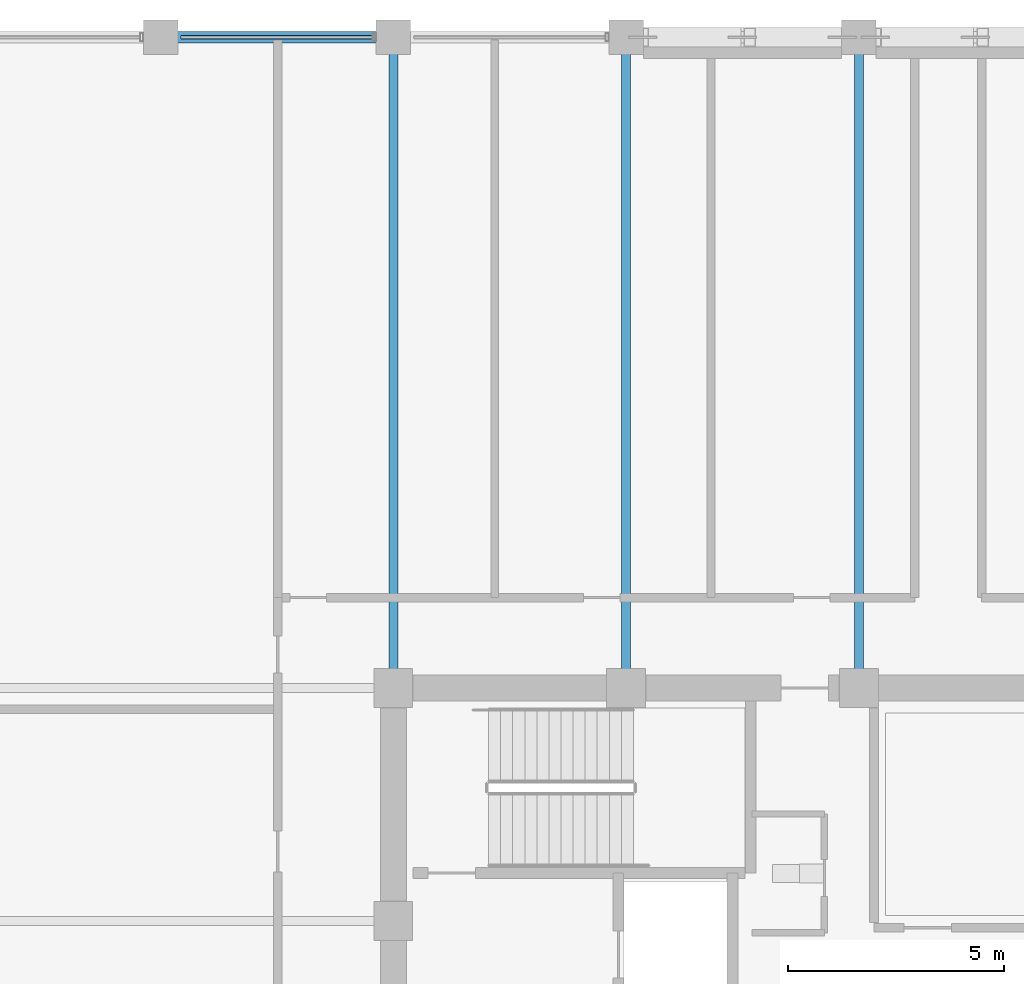
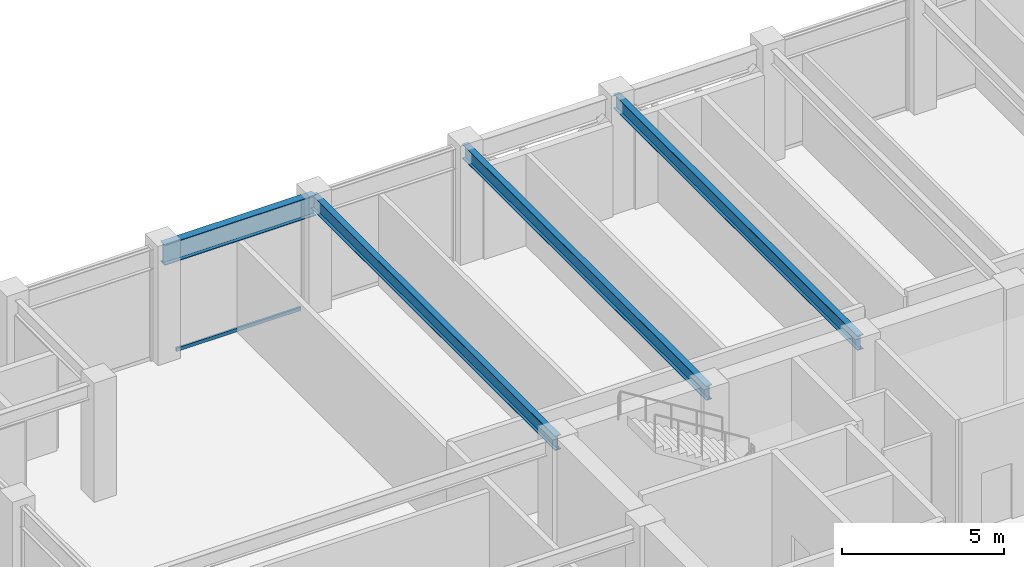
# One storey, part 17 of 28: 4 beams, 1 member, 1 element without a shape of its own.
"""IFC4 building model written with IfcOpenShell, lengths in metres."""

import ifcopenshell
import ifcopenshell.guid

model = None  # the IFC model being written
_history = None  # IfcOwnerHistory: only IFC2X3 demands one
_inside = {}  # id of a spatial element -> (the spatial element, [elements in it])
_under = {}  # id of a project, library or spatial element -> (it, [spatial elements below it])
_declared = {}  # id of a project -> (the project, [libraries it declares])
_typed = {}  # id of a type object -> (the type object, [elements of that type])
_made_of = {}  # id of a material, layer set ... -> (it, [elements and type objects made of it])


def new_model(schema):
    """Start an empty IFC model of exactly this schema.

    Asked for "IFC4X3", IfcOpenShell would pick the latest addendum, in which some entities
    have other attributes; the version numbers below select the first issue.
    IFC2X3 requires an IfcOwnerHistory on every rooted entity: one is made here for all.
    """
    global model, _history
    if schema == "IFC4X3":
        model = ifcopenshell.file(schema_version=(4, 3, 0, 0))
    else:
        model = ifcopenshell.file(schema=schema)
    _inside.clear()
    _under.clear()
    _declared.clear()
    _typed.clear()
    _made_of.clear()
    _history = None
    if model.schema == "IFC2X3":
        org = make("IfcOrganization", Name="unknown")
        user = make(
            "IfcPersonAndOrganization",
            ThePerson=make("IfcPerson", FamilyName="unknown"),
            TheOrganization=org,
        )
        app = make(
            "IfcApplication",
            ApplicationDeveloper=org,
            Version="unknown",
            ApplicationFullName="unknown",
            ApplicationIdentifier="unknown",
        )
        _history = make(
            "IfcOwnerHistory",
            OwningUser=user,
            OwningApplication=app,
            ChangeAction="ADDED",
            CreationDate=0,
        )
    return model


def make(cls, **values):
    """One entity of the class cls with the attributes given. An attribute that is None is left unset."""
    return model.create_entity(
        cls, **{name: value for name, value in values.items() if value is not None}
    )


def rooted(cls, **values):
    """An entity with a GlobalId (a new one), such as an element, a storey or a relation."""
    return make(cls, GlobalId=ifcopenshell.guid.new(), OwnerHistory=_history, **values)


def si_unit(unit_type, name, prefix=None):
    """IfcSIUnit, for example si_unit("LENGTHUNIT", "METRE", prefix="MILLI")."""
    return make("IfcSIUnit", UnitType=unit_type, Prefix=prefix, Name=name)


def assignment(units):
    """IfcUnitAssignment: the units of a project."""
    return None if units is None else make("IfcUnitAssignment", Units=units)


def point(xyz):
    """IfcCartesianPoint."""
    return None if xyz is None else make("IfcCartesianPoint", Coordinates=xyz)


def direction(xyz):
    """IfcDirection."""
    return None if xyz is None else make("IfcDirection", DirectionRatios=xyz)


def frame(location, z_axis=None, x_axis=None):
    """IfcAxis2Placement3D, a coordinate frame: its origin and axes. An axis left out is left unset."""
    return make(
        "IfcAxis2Placement3D",
        Location=point(location),
        Axis=direction(z_axis),
        RefDirection=direction(x_axis),
    )


def frame_2d(location, x_axis=None):
    """IfcAxis2Placement2D, a coordinate frame in the plane: its origin and x axis."""
    return make(
        "IfcAxis2Placement2D", Location=point(location), RefDirection=direction(x_axis)
    )


def origin():
    """The frame at (0, 0, 0) with its axes left unset."""
    return frame((0.0, 0.0, 0.0))


def origin_2d():
    """The frame at (0, 0) in the plane with its x axis left unset."""
    return frame_2d((0.0, 0.0))


def place(relative_to, where):
    """IfcLocalPlacement: puts the frame where relative to a parent placement (None: the world)."""
    return make(
        "IfcLocalPlacement", PlacementRelTo=relative_to, RelativePlacement=where
    )


def context(
    kind, dimensions, precision=None, world=None, true_north=None, identifier=None
):
    """IfcGeometricRepresentationContext, for example the 3D "Model" context."""
    return make(
        "IfcGeometricRepresentationContext",
        ContextIdentifier=identifier,
        ContextType=kind,
        CoordinateSpaceDimension=dimensions,
        Precision=precision,
        WorldCoordinateSystem=world,
        TrueNorth=true_north,
    )


def subcontext(parent, identifier, kind, view, scale=None):
    """IfcGeometricRepresentationSubContext, for example "Body" below "Model"."""
    return make(
        "IfcGeometricRepresentationSubContext",
        ContextIdentifier=identifier,
        ContextType=kind,
        ParentContext=parent,
        TargetScale=scale,
        TargetView=view,
    )


def project(units=None, contexts=None):
    """IfcProject with its units and contexts."""
    return rooted(
        "IfcProject",
        Name="project",
        RepresentationContexts=contexts,
        UnitsInContext=assignment(units),
    )


def spatial(cls, under=None, at=None, **own):
    """A site, building, storey or space (cls), placed at a placement, below another one or the project."""
    s = rooted(cls, ObjectPlacement=at, **own)
    if under is not None:
        _under.setdefault(under.id(), (under, []))[1].append(s)
    return s


def profile(cls, at=None, kind="AREA", **sizes):
    """A parametric profile (cls). Its sizes go by their IFC names, for example OverallWidth=200.0."""
    return make(cls, ProfileType=kind, Position=at, **sizes)


def hollow_rectangle(**sizes):
    """IfcRectangleHollowProfileDef."""
    return profile("IfcRectangleHollowProfileDef", **sizes)


def i_section(**sizes):
    """IfcIShapeProfileDef."""
    return profile("IfcIShapeProfileDef", **sizes)


def extrude(swept, where, along, depth):
    """IfcExtrudedAreaSolid: the profile swept, set in the frame where, extruded along a direction by depth."""
    return make(
        "IfcExtrudedAreaSolid",
        SweptArea=swept,
        Position=where,
        ExtrudedDirection=direction(along),
        Depth=depth,
    )


def shape(context_of_items, identifier, shape_type, items):
    """IfcShapeRepresentation: the items that make up one representation, for example the "Body"."""
    return make(
        "IfcShapeRepresentation",
        ContextOfItems=context_of_items,
        RepresentationIdentifier=identifier,
        RepresentationType=shape_type,
        Items=items,
    )


def material(Name=None, Category=None):
    """IfcMaterial."""
    return make("IfcMaterial", Name=Name, Category=Category)


def layer(
    of_material, thickness, ventilated=None, Name=None, Category=None, Priority=None
):
    """IfcMaterialLayer: one layer of a wall or slab, of a material (None: an air gap)."""
    return make(
        "IfcMaterialLayer",
        Material=of_material,
        LayerThickness=thickness,
        IsVentilated=ventilated,
        Name=Name,
        Category=Category,
        Priority=Priority,
    )


def layer_set(layers, Name=None):
    """IfcMaterialLayerSet."""
    return make("IfcMaterialLayerSet", MaterialLayers=layers, LayerSetName=Name)


def material_profile(
    of_material, cross_section, Name=None, Category=None, Priority=None
):
    """IfcMaterialProfile: a cross section and its material."""
    return make(
        "IfcMaterialProfile",
        Name=Name,
        Material=of_material,
        Profile=cross_section,
        Priority=Priority,
        Category=Category,
    )


def profile_set(profiles, Name=None, composite=None):
    """IfcMaterialProfileSet."""
    return make(
        "IfcMaterialProfileSet",
        Name=Name,
        MaterialProfiles=profiles,
        CompositeProfile=composite,
    )


def made_of(thing, what):
    """Note that an element or type object is made of a material, layer set ...; save() writes the relation."""
    if what is not None:
        _made_of.setdefault(what.id(), (what, []))[1].append(thing)
    return thing


def type_object(cls, material=None, **own):
    """A type object (cls), such as IfcWallType, which elements share."""
    return made_of(rooted(cls, **own), material)


def element(
    cls,
    number,
    at=None,
    inside=None,
    cuts=None,
    type_object=None,
    material=None,
    context=None,
    identifier="Body",
    shape_type=None,
    held_by="IfcProductDefinitionShape",
    body=None,
    shapes=None,
    **own,
):
    """One element of the class cls, such as IfcWall. Its Tag is "e" and its number.

    at: its placement. inside: the storey or other place that contains it. cuts: it is an
    opening in that element (IfcRelVoidsElement). A single representation is given by context,
    identifier, shape_type and body (its items); several are given by shapes. held_by: the class
    of the entity that holds the representations. save() writes the other relations.
    """
    e = rooted(cls, Tag="e%d" % number, ObjectPlacement=at, **own)
    if body is not None:
        shapes = [shape(context, identifier, shape_type, body)]
    if shapes is not None:
        e.Representation = make(held_by, Representations=shapes)
    if inside is not None:
        _inside.setdefault(inside.id(), (inside, []))[1].append(e)
    if cuts is not None:
        rooted(
            "IfcRelVoidsElement", RelatingBuildingElement=cuts, RelatedOpeningElement=e
        )
    if type_object is not None:
        _typed.setdefault(type_object.id(), (type_object, []))[1].append(e)
    return made_of(e, material)


def aggregate(whole, parts):
    """IfcRelAggregates: a whole, such as a stair, and the parts it consists of."""
    return rooted("IfcRelAggregates", RelatingObject=whole, RelatedObjects=parts)


def save(model, path):
    """Write the relations noted so far, then the file.

    IfcRelAggregates (storeys below a building ...), IfcRelContainedInSpatialStructure (elements
    in a storey), IfcRelDefinesByType, IfcRelAssociatesMaterial and IfcRelDeclares: one each for
    every whole, place, type object, material and project.
    """
    for whole, parts in _under.values():
        aggregate(whole, parts)
    for where, things in _inside.values():
        rooted(
            "IfcRelContainedInSpatialStructure",
            RelatedElements=things,
            RelatingStructure=where,
        )
    for kind, things in _typed.values():
        rooted("IfcRelDefinesByType", RelatedObjects=things, RelatingType=kind)
    for what, things in _made_of.values():
        rooted("IfcRelAssociatesMaterial", RelatedObjects=things, RelatingMaterial=what)
    for by, libraries in _declared.values():
        rooted("IfcRelDeclares", RelatingContext=by, RelatedDefinitions=libraries)
    model.write(path)


model = new_model("IFC4")

# Units and contexts
model_context = context("Model", 3, precision=1e-05, world=origin(), true_north=direction((0.0, 1.0)))
body_context = subcontext(model_context, "Body", "Model", "MODEL_VIEW")
ifc_project = project(units=[si_unit("LENGTHUNIT", "METRE"), si_unit("AREAUNIT", "SQUARE_METRE"), si_unit("VOLUMEUNIT", "CUBIC_METRE"), si_unit("PLANEANGLEUNIT", "RADIAN"), si_unit("MASSUNIT", "GRAM", prefix="KILO")], contexts=[model_context])

# Site, building, storey
site_placement = place(None, origin())
site = spatial("IfcSite", under=ifc_project, at=site_placement, CompositionType="ELEMENT")
building_placement = place(site_placement, origin())
building = spatial("IfcBuilding", under=site, at=building_placement, Name="Surkhivell Harbour Commons", CompositionType="ELEMENT")
storey_placement = place(building_placement, frame((0.0, 0.0, 249.75)))
storey = spatial("IfcBuildingStorey", under=building, at=storey_placement, Name="L65", CompositionType="ELEMENT", Elevation=249.75)

# Beams
ifc_material_1 = material(Name="Steel S355", Category="steel")
ifc_material_profile_1 = material_profile(ifc_material_1, i_section(OverallWidth=0.2119140625, OverallDepth=0.5439453125, WebThickness=0.0126953125, FlangeThickness=0.021240234375, at=origin_2d()), Name="UB533x210x122")
ifc_profile_set_1 = profile_set([ifc_material_profile_1], Name="Steel S355")
beam_type_1 = type_object("IfcBeamType", Name="BM-GRD-533A", PredefinedType="BEAM", material=ifc_profile_set_1)
for number, where, z_axis, x_axis, name in (
    (1, (-10.800048828125, 10.800048828125, 3.97802734375), (0.0, 1.0, 0.0), (-1.0, 0.0, 0.0), "L65 Floor Girder (-10.8,10.8)"),
    (2, (-5.39990234375, 10.800048828125, 3.97802734375), (0.0, 1.0, 0.0), (-1.0, 0.0, 0.0), "L65 Floor Girder (-5.4,10.8)"),
    (3, (0.0, 10.800048828125, 3.97802734375), (0.0, 1.0, 0.0), (-1.0, 0.0, 0.0), "L65 Floor Girder (0.0,10.8)"),
):
    element("IfcBeam", number, at=place(storey_placement, frame(where, z_axis=z_axis, x_axis=x_axis)), inside=storey, type_object=beam_type_1, Name=name, PredefinedType="BEAM", context=body_context, shape_type="SweptSolid", body=[
        extrude(i_section(OverallWidth=0.2119140625, OverallDepth=0.5439453125, WebThickness=0.0126953125, FlangeThickness=0.021240234375, at=origin_2d()), origin(), (0.0, 0.0, 1.0), 15.099853515625),
    ])
ifc_material_profile_2 = material_profile(ifc_material_1, i_section(OverallWidth=0.26806640625, OverallDepth=0.77001953125, WebThickness=0.015625, FlangeThickness=0.025390625, at=origin_2d()), Name="UB762x267x197")
ifc_profile_set_2 = profile_set([ifc_material_profile_2], Name="Steel S355")
beam_type_2 = type_object("IfcBeamType", Name="BM-SPN-762", PredefinedType="SPANDREL", material=ifc_profile_set_2)
beam_placement = place(storey_placement, frame((-16.199951171875, 25.89990234375, 3.864990234375), z_axis=(1.0, 0.0, 0.0), x_axis=(0.0, 1.0, 0.0)))
element("IfcBeam", 4, at=beam_placement, inside=storey, type_object=beam_type_2, Name="L65 Tube Spandrel (-16.2,25.9)", PredefinedType="SPANDREL", context=body_context, shape_type="SweptSolid", body=[
    extrude(i_section(OverallWidth=0.26806640625, OverallDepth=0.77001953125, WebThickness=0.015625, FlangeThickness=0.025390625, at=origin_2d()), origin(), (0.0, 0.0, 1.0), 5.39990234375),
])

# Curtain wall, member
ifc_material_2 = material(Name="Anodised pale-metal aluminium and insulated glazing", Category="aluminium")
ifc_layer = layer(ifc_material_2, 0.18994140625)
ifc_layer_set = layer_set([ifc_layer], Name="Anodised pale-metal aluminium and insulated glazing")
curtain_wall_type = type_object("IfcCurtainWallType", Name="CW-SYS-Z3", PredefinedType="NOTDEFINED", material=ifc_layer_set)
curtain_wall_placement = place(storey_placement, origin())
curtain_wall = element("IfcCurtainWall", 5, at=curtain_wall_placement, inside=storey, type_object=curtain_wall_type, Name="L65 Curtain Wall CW-L65-E07S2", PredefinedType="NOTDEFINED")
ifc_material_3 = material(Name="Champagne anodised aluminium alloy 6063-T6", Category="aluminium")
ifc_material_profile_3 = material_profile(ifc_material_3, hollow_rectangle(XDim=0.070068359375, YDim=0.1298828125, WallThickness=0.00341796875, at=origin_2d()), Name="ALU-TRAN-70x130")
ifc_profile_set_3 = profile_set([ifc_material_profile_3], Name="Champagne anodised aluminium alloy 6063-T6")
member_type = type_object("IfcMemberType", Name="CWT-130", PredefinedType="USERDEFINED", material=ifc_profile_set_3)
member_placement = place(storey_placement, frame((-11.277099609375, 25.89990234375, 0.06494140625), z_axis=(-1.0, 0.0, 0.0), x_axis=(0.0, -1.0, 0.0)))
member = element("IfcMember", 6, at=member_placement, type_object=member_type, Name="CW-Z3 transom 2.1", ObjectType="TRANSOM", PredefinedType="USERDEFINED", context=body_context, shape_type="SweptSolid", body=[
    extrude(hollow_rectangle(XDim=0.070068359375, YDim=0.1298828125, WallThickness=0.00341796875, at=origin_2d()), origin(), (0.0, 0.0, 1.0), 4.44580078125),
])
aggregate(curtain_wall, [member])

save(model, "model.ifc")
